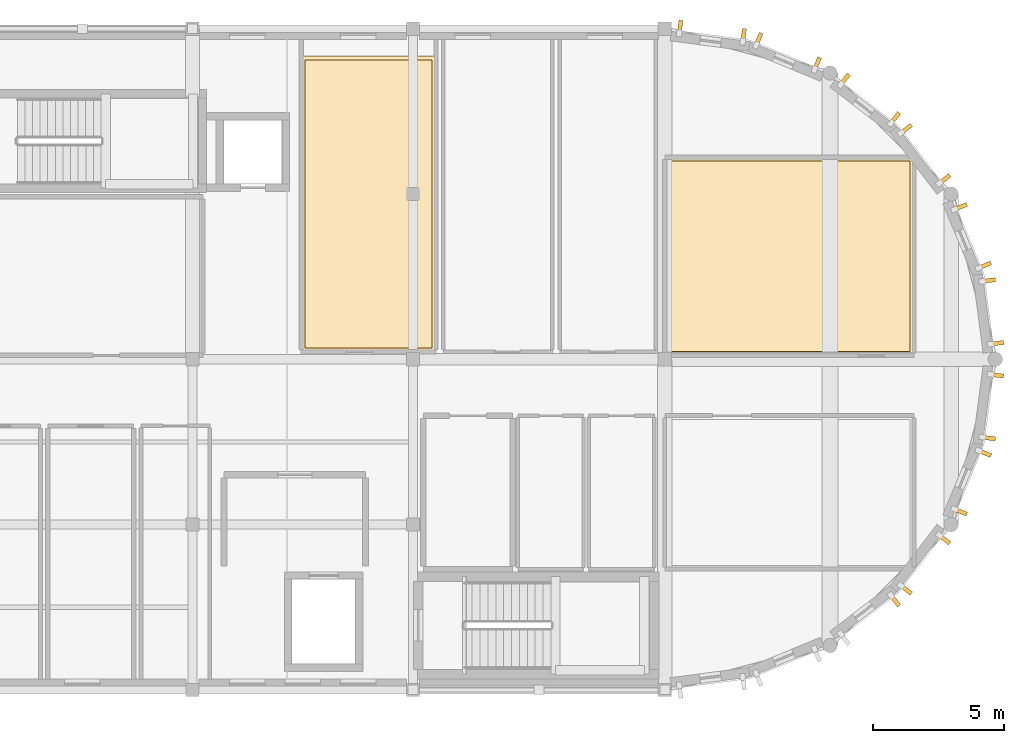
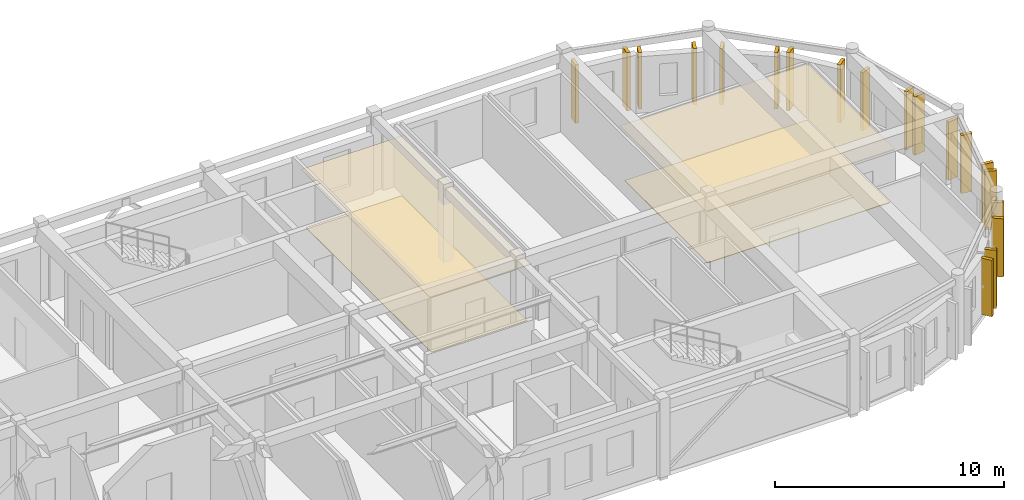
# One storey, part 11 of 11: 23 coverings.
"""IFC4 building model written with IfcOpenShell, lengths in metres."""

from ifc_helpers import new_model, si_unit, direction, frame, origin, origin_2d, place, context, subcontext, project, spatial, polyline, rectangle, outline, extrude, material, layer, layer_set, type_object, element, save


model = new_model("IFC4")

# Units and contexts
model_context = context("Model", 3, precision=1e-05, world=origin(), true_north=direction((0.0, 1.0)))
body_context = subcontext(model_context, "Body", "Model", "MODEL_VIEW")
ifc_project = project(units=[si_unit("LENGTHUNIT", "METRE"), si_unit("AREAUNIT", "SQUARE_METRE"), si_unit("VOLUMEUNIT", "CUBIC_METRE"), si_unit("PLANEANGLEUNIT", "RADIAN"), si_unit("MASSUNIT", "GRAM", prefix="KILO")], contexts=[model_context])

# Site, building, storey
site_placement = place(None, origin())
site = spatial("IfcSite", under=ifc_project, at=site_placement, CompositionType="ELEMENT")
building_placement = place(site_placement, origin())
building = spatial("IfcBuilding", under=site, at=building_placement, Name="Tarnavel Promenade Courthouse", CompositionType="ELEMENT")
storey_placement = place(building_placement, frame((0.0, 0.0, 31.199951171875)))
storey = spatial("IfcBuildingStorey", under=building, at=storey_placement, Name="L08", CompositionType="ELEMENT", Elevation=31.199951171875)

# Coverings
ifc_material_1 = material(Name="Engineered Smoked Oak Courtroom & Chambers Parquet")
ifc_layer_1 = layer(ifc_material_1, 0.031982421875)
ifc_layer_set_1 = layer_set([ifc_layer_1], Name="Engineered Smoked Oak Courtroom & Chambers Parquet")
covering_type_1 = type_object("IfcCoveringType", Name="Engineered Smoked Oak Courtroom & Chambers Parquet (COV-FLR-OAK-32)", PredefinedType="FLOORING", material=ifc_layer_set_1)
covering_1_placement = place(storey_placement, origin())
element("IfcCovering", 1, at=covering_1_placement, inside=storey, type_object=covering_type_1, Name="L08 Deputy Chief Justice's Chambers Architectural Flooring 0055", PredefinedType="FLOORING", context=body_context, shape_type="SweptSolid", body=[
    extrude(outline(polyline([(88.2900390625, 92.239990234375), (93.131103515625, 92.239990234375), (93.131103515625, 103.2099609375), (88.2900390625, 103.2099609375), (88.2900390625, 92.239990234375)])), origin(), (0.0, 0.0, 1.0), 0.031982421875),
])
covering_2_placement = place(storey_placement, origin())
element("IfcCovering", 2, at=covering_2_placement, inside=storey, type_object=covering_type_1, Name="L08 L08 East Drum Rotunda Chambers North Architectural Flooring 0057", PredefinedType="FLOORING", context=body_context, shape_type="SweptSolid", body=[
    extrude(outline(polyline([(102.14990234375, 92.10009765625), (111.35009765625, 92.10009765625), (111.35009765625, 99.35009765625), (102.14990234375, 99.35009765625), (102.14990234375, 92.10009765625)])), origin(), (0.0, 0.0, 1.0), 0.031982421875),
])
ifc_material_2 = material(Name="Micro-Perforated Acoustic Mineral-Fibre Ceiling")
ifc_layer_2 = layer(ifc_material_2, 0.044921875)
ifc_layer_set_2 = layer_set([ifc_layer_2], Name="Micro-Perforated Acoustic Mineral-Fibre Ceiling")
covering_type_2 = type_object("IfcCoveringType", Name="Micro-Perforated Acoustic Mineral-Fibre Ceiling (COV-CLG-MIN-45)", PredefinedType="CEILING", material=ifc_layer_set_2)
covering_3_placement = place(storey_placement, frame((0.0, 0.0, 3.054931640625)))
element("IfcCovering", 3, at=covering_3_placement, inside=storey, type_object=covering_type_2, Name="L08 Deputy Chief Justice's Chambers Acoustic Ceiling 0055", PredefinedType="CEILING", context=body_context, shape_type="SweptSolid", body=[
    extrude(outline(polyline([(88.139892578125, 92.090087890625), (93.281005859375, 92.090087890625), (93.281005859375, 103.360107421875), (88.139892578125, 103.360107421875), (88.139892578125, 92.090087890625)])), origin(), (0.0, 0.0, 1.0), 0.045166015625),
])
covering_4_placement = place(storey_placement, frame((0.0, 0.0, 2.864990234375)))
element("IfcCovering", 4, at=covering_4_placement, inside=storey, type_object=covering_type_2, Name="L08 L08 East Drum Rotunda Chambers North Acoustic Ceiling 0057", PredefinedType="CEILING", context=body_context, shape_type="SweptSolid", body=[
    extrude(outline(polyline([(102.0, 91.949951171875), (111.5, 91.949951171875), (111.5, 99.5), (102.0, 99.5), (102.0, 91.949951171875)])), origin(), (0.0, 0.0, 1.0), 0.045166015625),
])
ifc_material_3 = material(Name="Patinated Copper-Bronze Fluted Pier Cladding")
ifc_layer_3 = layer(ifc_material_3, 0.52001953125)
ifc_layer_set_3 = layer_set([ifc_layer_3], Name="Patinated Copper-Bronze Fluted Pier Cladding")
covering_type_3 = type_object("IfcCoveringType", Name="Patinated Copper-Bronze Fluted Pier Cladding COV-PIER-520 (520 mm)", PredefinedType="CLADDING", material=ifc_layer_set_3)
covering_5_placement = place(storey_placement, frame((110.772705078125, 82.60888671875, 0.0), z_axis=(0.0, 0.0, 1.0), x_axis=(0.793353340291, 0.608761429009, 0.0)))
element("IfcCovering", 5, at=covering_5_placement, inside=storey, type_object=covering_type_3, Name="L08 E Drum Fluted Copper Pier 0300", PredefinedType="CLADDING", context=body_context, shape_type="SweptSolid", body=[
    extrude(rectangle(XDim=0.159912109375, YDim=0.52001953125, at=origin_2d()), origin(), (0.0, 0.0, 1.0), 3.010009765625),
])
for number, where, z_axis, x_axis, name in (
    (6, (111.191162109375, 83.02734375, 0.0), (0.0, 0.0, 1.0), (0.608761429009, 0.793353340291, 0.0), "L08 E Drum Fluted Copper Pier 0301"),
    (7, (112.660888671875, 84.942626953125, 0.0), (0.0, 0.0, 1.0), (0.608761429009, 0.793353340291, 0.0), "L08 E Drum Fluted Copper Pier 0302"),
    (8, (113.26904296875, 85.99609375, 0.0), (0.0, 0.0, 1.0), (0.382683432365, 0.923879532511, 0.0), "L08 E Drum Fluted Copper Pier 0303"),
    (9, (114.19287109375, 88.2265625, 0.0), (0.0, 0.0, 1.0), (0.382683432365, 0.923879532511, 0.0), "L08 E Drum Fluted Copper Pier 0304"),
    (10, (114.345947265625, 88.798095703125, 0.0), (0.0, 0.0, 1.0), (0.13052619222, 0.991444861374, 0.0), "L08 E Drum Fluted Copper Pier 0305"),
    (11, (114.6611328125, 91.19189453125, 0.0), (0.0, 0.0, 1.0), (0.13052619222, 0.991444861374, 0.0), "L08 E Drum Fluted Copper Pier 0306"),
    (12, (114.6611328125, 92.408203125, 0.0), (0.0, 0.0, 1.0), (-0.13052619222, 0.991444861374, 0.0), "L08 E Drum Fluted Copper Pier 0307"),
    (13, (114.345947265625, 94.8017578125, 0.0), (0.0, 0.0, 1.0), (-0.13052619222, 0.991444861374, 0.0), "L08 E Drum Fluted Copper Pier 0308"),
    (14, (114.19287109375, 95.373291015625, 0.0), (0.0, 0.0, 1.0), (-0.382683432365, 0.923879532511, 0.0), "L08 E Drum Fluted Copper Pier 0309"),
    (15, (113.26904296875, 97.60400390625, 0.0), (0.0, 0.0, 1.0), (-0.382683432365, 0.923879532511, 0.0), "L08 E Drum Fluted Copper Pier 0310"),
    (16, (112.660888671875, 98.6572265625, 0.0), (0.0, 0.0, 1.0), (-0.608761429009, 0.793353340291, 0.0), "L08 E Drum Fluted Copper Pier 0311"),
    (17, (111.191162109375, 100.572509765625, 0.0), (0.0, 0.0, 1.0), (-0.608761429009, 0.793353340291, 0.0), "L08 E Drum Fluted Copper Pier 0312"),
):
    element("IfcCovering", number, at=place(storey_placement, frame(where, z_axis=z_axis, x_axis=x_axis)), inside=storey, type_object=covering_type_3, Name=name, PredefinedType="CLADDING", context=body_context, shape_type="SweptSolid", body=[
        extrude(rectangle(XDim=0.159912109375, YDim=0.52001953125, at=origin_2d()), origin(), (0.0, 0.0, 1.0), 3.110107421875),
    ])
for number, where, z_axis, x_axis, name in (
    (18, (110.772705078125, 100.9912109375, 0.0), (0.0, 0.0, 1.0), (-0.793353340291, 0.608761429009, 0.0), "L08 E Drum Fluted Copper Pier 0313"),
    (19, (108.857421875, 102.460693359375, 0.0), (0.0, 0.0, 1.0), (-0.793353340291, 0.608761429009, 0.0), "L08 E Drum Fluted Copper Pier 0314"),
    (20, (107.803955078125, 103.069091796875, 0.0), (0.0, 0.0, 1.0), (-0.923879532511, 0.382683432365, 0.0), "L08 E Drum Fluted Copper Pier 0315"),
    (21, (105.573486328125, 103.992919921875, 0.0), (0.0, 0.0, 1.0), (-0.923879532511, 0.382683432365, 0.0), "L08 E Drum Fluted Copper Pier 0316"),
):
    element("IfcCovering", number, at=place(storey_placement, frame(where, z_axis=z_axis, x_axis=x_axis)), inside=storey, type_object=covering_type_3, Name=name, PredefinedType="CLADDING", context=body_context, shape_type="SweptSolid", body=[
        extrude(rectangle(XDim=0.159912109375, YDim=0.52001953125, at=origin_2d()), origin(), (0.0, 0.0, 1.0), 3.010009765625),
    ])
for number, where, z_axis, x_axis, name in (
    (22, (105.001708984375, 104.14599609375, 0.0), (0.0, 0.0, 1.0), (-0.991444861374, 0.13052619222, 0.0), "L08 E Drum Fluted Copper Pier 0317"),
    (23, (102.58349609375, 104.46435546875, 0.0), (0.0, 0.0, 1.0), (-0.991444861374, 0.13052619222, 0.0), "L08 E Drum Fluted Copper Pier 0318"),
):
    element("IfcCovering", number, at=place(storey_placement, frame(where, z_axis=z_axis, x_axis=x_axis)), inside=storey, type_object=covering_type_3, Name=name, PredefinedType="CLADDING", context=body_context, shape_type="SweptSolid", body=[
        extrude(rectangle(XDim=0.159912109375, YDim=0.52001953125, at=origin_2d()), origin(), (0.0, 0.0, 1.0), 3.110107421875),
    ])

save(model, "model.ifc")
